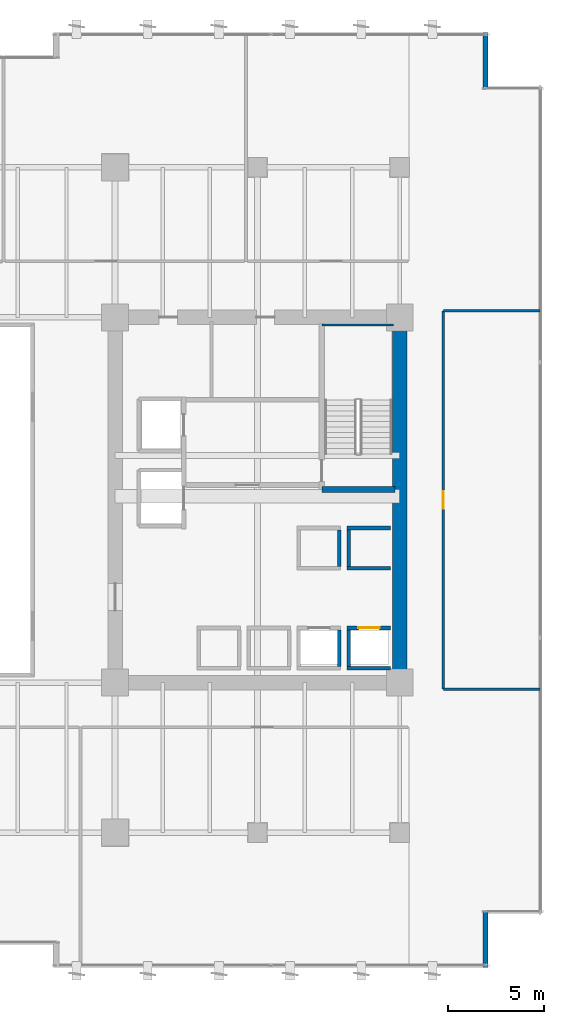
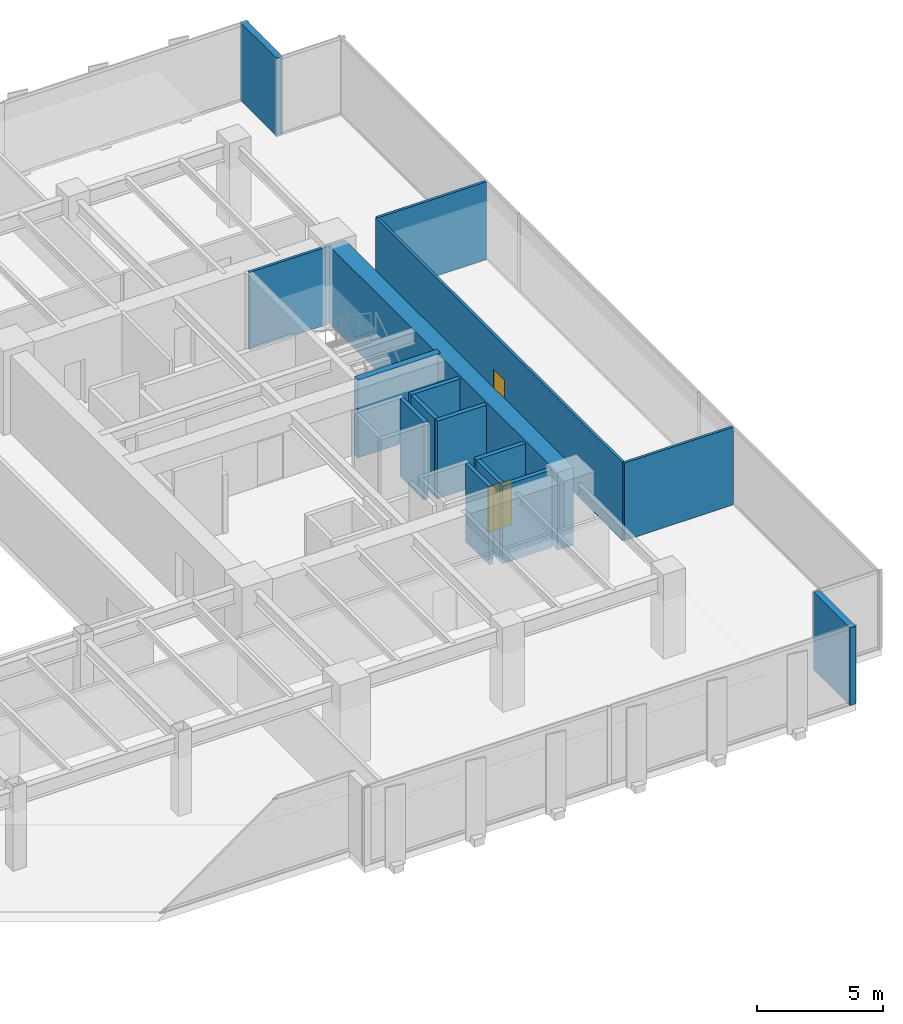
# One storey, part 32 of 37: 16 walls, 2 doors, 2 openings.
"""IFC4 building model written with IfcOpenShell, lengths in metres."""

import ifcopenshell
import ifcopenshell.guid

model = None  # the IFC model being written
_history = None  # IfcOwnerHistory: only IFC2X3 demands one
_inside = {}  # id of a spatial element -> (the spatial element, [elements in it])
_under = {}  # id of a project, library or spatial element -> (it, [spatial elements below it])
_declared = {}  # id of a project -> (the project, [libraries it declares])
_typed = {}  # id of a type object -> (the type object, [elements of that type])
_made_of = {}  # id of a material, layer set ... -> (it, [elements and type objects made of it])


def new_model(schema):
    """Start an empty IFC model of exactly this schema.

    Asked for "IFC4X3", IfcOpenShell would pick the latest addendum, in which some entities
    have other attributes; the version numbers below select the first issue.
    IFC2X3 requires an IfcOwnerHistory on every rooted entity: one is made here for all.
    """
    global model, _history
    if schema == "IFC4X3":
        model = ifcopenshell.file(schema_version=(4, 3, 0, 0))
    else:
        model = ifcopenshell.file(schema=schema)
    _inside.clear()
    _under.clear()
    _declared.clear()
    _typed.clear()
    _made_of.clear()
    _history = None
    if model.schema == "IFC2X3":
        org = make("IfcOrganization", Name="unknown")
        user = make(
            "IfcPersonAndOrganization",
            ThePerson=make("IfcPerson", FamilyName="unknown"),
            TheOrganization=org,
        )
        app = make(
            "IfcApplication",
            ApplicationDeveloper=org,
            Version="unknown",
            ApplicationFullName="unknown",
            ApplicationIdentifier="unknown",
        )
        _history = make(
            "IfcOwnerHistory",
            OwningUser=user,
            OwningApplication=app,
            ChangeAction="ADDED",
            CreationDate=0,
        )
    return model


def make(cls, **values):
    """One entity of the class cls with the attributes given. An attribute that is None is left unset."""
    return model.create_entity(
        cls, **{name: value for name, value in values.items() if value is not None}
    )


def rooted(cls, **values):
    """An entity with a GlobalId (a new one), such as an element, a storey or a relation."""
    return make(cls, GlobalId=ifcopenshell.guid.new(), OwnerHistory=_history, **values)


def si_unit(unit_type, name, prefix=None):
    """IfcSIUnit, for example si_unit("LENGTHUNIT", "METRE", prefix="MILLI")."""
    return make("IfcSIUnit", UnitType=unit_type, Prefix=prefix, Name=name)


def assignment(units):
    """IfcUnitAssignment: the units of a project."""
    return None if units is None else make("IfcUnitAssignment", Units=units)


def point(xyz):
    """IfcCartesianPoint."""
    return None if xyz is None else make("IfcCartesianPoint", Coordinates=xyz)


def direction(xyz):
    """IfcDirection."""
    return None if xyz is None else make("IfcDirection", DirectionRatios=xyz)


def frame(location, z_axis=None, x_axis=None):
    """IfcAxis2Placement3D, a coordinate frame: its origin and axes. An axis left out is left unset."""
    return make(
        "IfcAxis2Placement3D",
        Location=point(location),
        Axis=direction(z_axis),
        RefDirection=direction(x_axis),
    )


def frame_2d(location, x_axis=None):
    """IfcAxis2Placement2D, a coordinate frame in the plane: its origin and x axis."""
    return make(
        "IfcAxis2Placement2D", Location=point(location), RefDirection=direction(x_axis)
    )


def origin():
    """The frame at (0, 0, 0) with its axes left unset."""
    return frame((0.0, 0.0, 0.0))


def place(relative_to, where):
    """IfcLocalPlacement: puts the frame where relative to a parent placement (None: the world)."""
    return make(
        "IfcLocalPlacement", PlacementRelTo=relative_to, RelativePlacement=where
    )


def context(
    kind, dimensions, precision=None, world=None, true_north=None, identifier=None
):
    """IfcGeometricRepresentationContext, for example the 3D "Model" context."""
    return make(
        "IfcGeometricRepresentationContext",
        ContextIdentifier=identifier,
        ContextType=kind,
        CoordinateSpaceDimension=dimensions,
        Precision=precision,
        WorldCoordinateSystem=world,
        TrueNorth=true_north,
    )


def subcontext(parent, identifier, kind, view, scale=None):
    """IfcGeometricRepresentationSubContext, for example "Body" below "Model"."""
    return make(
        "IfcGeometricRepresentationSubContext",
        ContextIdentifier=identifier,
        ContextType=kind,
        ParentContext=parent,
        TargetScale=scale,
        TargetView=view,
    )


def project(units=None, contexts=None):
    """IfcProject with its units and contexts."""
    return rooted(
        "IfcProject",
        Name="project",
        RepresentationContexts=contexts,
        UnitsInContext=assignment(units),
    )


def spatial(cls, under=None, at=None, **own):
    """A site, building, storey or space (cls), placed at a placement, below another one or the project."""
    s = rooted(cls, ObjectPlacement=at, **own)
    if under is not None:
        _under.setdefault(under.id(), (under, []))[1].append(s)
    return s


def profile(cls, at=None, kind="AREA", **sizes):
    """A parametric profile (cls). Its sizes go by their IFC names, for example OverallWidth=200.0."""
    return make(cls, ProfileType=kind, Position=at, **sizes)


def rectangle(**sizes):
    """IfcRectangleProfileDef."""
    return profile("IfcRectangleProfileDef", **sizes)


def extrude(swept, where, along, depth):
    """IfcExtrudedAreaSolid: the profile swept, set in the frame where, extruded along a direction by depth."""
    return make(
        "IfcExtrudedAreaSolid",
        SweptArea=swept,
        Position=where,
        ExtrudedDirection=direction(along),
        Depth=depth,
    )


def shape(context_of_items, identifier, shape_type, items):
    """IfcShapeRepresentation: the items that make up one representation, for example the "Body"."""
    return make(
        "IfcShapeRepresentation",
        ContextOfItems=context_of_items,
        RepresentationIdentifier=identifier,
        RepresentationType=shape_type,
        Items=items,
    )


def source(mapping_origin, context_of_items, identifier, shape_type, items):
    """IfcRepresentationMap: a shape defined once, which mapped items show again and again."""
    return make(
        "IfcRepresentationMap",
        MappingOrigin=mapping_origin,
        MappedRepresentation=shape(context_of_items, identifier, shape_type, items),
    )


def transform(
    local_origin,
    x_axis=None,
    y_axis=None,
    z_axis=None,
    scale=None,
    scale2=None,
    scale3=None,
    uniform=True,
):
    """IfcCartesianTransformationOperator3D, or its non-uniform kind. x_axis, y_axis, z_axis: its Axis1, 2, 3."""
    if uniform:
        return make(
            "IfcCartesianTransformationOperator3D",
            Axis1=direction(x_axis),
            Axis2=direction(y_axis),
            LocalOrigin=point(local_origin),
            Scale=scale,
            Axis3=direction(z_axis),
        )
    return make(
        "IfcCartesianTransformationOperator3DnonUniform",
        Axis1=direction(x_axis),
        Axis2=direction(y_axis),
        LocalOrigin=point(local_origin),
        Scale=scale,
        Axis3=direction(z_axis),
        Scale2=scale2,
        Scale3=scale3,
    )


def mapped(mapping_source, mapping_target):
    """IfcMappedItem: shows the shape of a source again, moved by a transform."""
    return make(
        "IfcMappedItem", MappingSource=mapping_source, MappingTarget=mapping_target
    )


def material(Name=None, Category=None):
    """IfcMaterial."""
    return make("IfcMaterial", Name=Name, Category=Category)


def layer(
    of_material, thickness, ventilated=None, Name=None, Category=None, Priority=None
):
    """IfcMaterialLayer: one layer of a wall or slab, of a material (None: an air gap)."""
    return make(
        "IfcMaterialLayer",
        Material=of_material,
        LayerThickness=thickness,
        IsVentilated=ventilated,
        Name=Name,
        Category=Category,
        Priority=Priority,
    )


def layer_set(layers, Name=None):
    """IfcMaterialLayerSet."""
    return make("IfcMaterialLayerSet", MaterialLayers=layers, LayerSetName=Name)


def made_of(thing, what):
    """Note that an element or type object is made of a material, layer set ...; save() writes the relation."""
    if what is not None:
        _made_of.setdefault(what.id(), (what, []))[1].append(thing)
    return thing


def type_object(cls, material=None, **own):
    """A type object (cls), such as IfcWallType, which elements share."""
    return made_of(rooted(cls, **own), material)


def type_shapes(of_type, sources):
    """Give a type object the sources (RepresentationMaps) that its elements show as mapped items."""
    of_type.RepresentationMaps = sources


def element(
    cls,
    number,
    at=None,
    inside=None,
    cuts=None,
    type_object=None,
    material=None,
    context=None,
    identifier="Body",
    shape_type=None,
    held_by="IfcProductDefinitionShape",
    body=None,
    shapes=None,
    **own,
):
    """One element of the class cls, such as IfcWall. Its Tag is "e" and its number.

    at: its placement. inside: the storey or other place that contains it. cuts: it is an
    opening in that element (IfcRelVoidsElement). A single representation is given by context,
    identifier, shape_type and body (its items); several are given by shapes. held_by: the class
    of the entity that holds the representations. save() writes the other relations.
    """
    e = rooted(cls, Tag="e%d" % number, ObjectPlacement=at, **own)
    if body is not None:
        shapes = [shape(context, identifier, shape_type, body)]
    if shapes is not None:
        e.Representation = make(held_by, Representations=shapes)
    if inside is not None:
        _inside.setdefault(inside.id(), (inside, []))[1].append(e)
    if cuts is not None:
        rooted(
            "IfcRelVoidsElement", RelatingBuildingElement=cuts, RelatedOpeningElement=e
        )
    if type_object is not None:
        _typed.setdefault(type_object.id(), (type_object, []))[1].append(e)
    return made_of(e, material)


def fill(opening, filler):
    """IfcRelFillsElement: the door or window that sits in an opening."""
    return rooted(
        "IfcRelFillsElement",
        RelatingOpeningElement=opening,
        RelatedBuildingElement=filler,
    )


def aggregate(whole, parts):
    """IfcRelAggregates: a whole, such as a stair, and the parts it consists of."""
    return rooted("IfcRelAggregates", RelatingObject=whole, RelatedObjects=parts)


def save(model, path):
    """Write the relations noted so far, then the file.

    IfcRelAggregates (storeys below a building ...), IfcRelContainedInSpatialStructure (elements
    in a storey), IfcRelDefinesByType, IfcRelAssociatesMaterial and IfcRelDeclares: one each for
    every whole, place, type object, material and project.
    """
    for whole, parts in _under.values():
        aggregate(whole, parts)
    for where, things in _inside.values():
        rooted(
            "IfcRelContainedInSpatialStructure",
            RelatedElements=things,
            RelatingStructure=where,
        )
    for kind, things in _typed.values():
        rooted("IfcRelDefinesByType", RelatedObjects=things, RelatingType=kind)
    for what, things in _made_of.values():
        rooted("IfcRelAssociatesMaterial", RelatedObjects=things, RelatingMaterial=what)
    for by, libraries in _declared.values():
        rooted("IfcRelDeclares", RelatingContext=by, RelatedDefinitions=libraries)
    model.write(path)


model = new_model("IFC4")

# Units and contexts
model_context = context("Model", 3, precision=1e-05, world=origin(), true_north=direction((0.0, 1.0)))
body_context = subcontext(model_context, "Body", "Model", "MODEL_VIEW")
ifc_project = project(units=[si_unit("LENGTHUNIT", "METRE"), si_unit("AREAUNIT", "SQUARE_METRE"), si_unit("VOLUMEUNIT", "CUBIC_METRE"), si_unit("PLANEANGLEUNIT", "RADIAN"), si_unit("MASSUNIT", "GRAM", prefix="KILO")], contexts=[model_context])

# Site, building, storey
site_placement = place(None, origin())
site = spatial("IfcSite", under=ifc_project, at=site_placement, CompositionType="ELEMENT")
building_placement = place(site_placement, origin())
building = spatial("IfcBuilding", under=site, at=building_placement, Name="Haelvirn Gate Laboratories", CompositionType="ELEMENT")
storey_placement = place(building_placement, frame((0.0, 0.0, 74.39990234375)))
storey = spatial("IfcBuildingStorey", under=building, at=storey_placement, Name="L18", CompositionType="ELEMENT", Elevation=74.39990234375)

# Walls
ifc_material_1 = material(Name="Thermally-broken bronze aluminium rainscreen & mineral wool", Category="aluminium")
ifc_layer_1 = layer(ifc_material_1, 0.280029296875, Name="EW-TERR-280")
ifc_layer_set_1 = layer_set([ifc_layer_1], Name="Thermally-broken bronze aluminium rainscreen & mineral wool")
wall_type_1 = type_object("IfcWallType", Name="EW-TERR-280", PredefinedType="STANDARD", material=ifc_layer_set_1)
wall_1_placement = place(storey_placement, frame((71.860107421875, 0.0, 0.0), z_axis=(0.0, 0.0, 1.0), x_axis=(0.0, 1.0, 0.0)))
element("IfcWall", 1, at=wall_1_placement, inside=storey, type_object=wall_type_1, Name="L18 Atrium Recess Bronze Return Wall 05", PredefinedType="STANDARD", context=body_context, shape_type="SweptSolid", body=[
    extrude(rectangle(XDim=2.887939453125, YDim=0.280029296875, at=frame_2d((1.44384765625, 0.0))), origin(), (0.0, 0.0, 1.0), 3.780029296875),
])
wall_2_placement = place(storey_placement, frame((71.860107421875, 45.7119140625, 0.0), z_axis=(0.0, 0.0, 1.0), x_axis=(0.0, 1.0, 0.0)))
element("IfcWall", 2, at=wall_2_placement, inside=storey, type_object=wall_type_1, Name="L18 Atrium Recess Bronze Return Wall 09", PredefinedType="STANDARD", context=body_context, shape_type="SweptSolid", body=[
    extrude(rectangle(XDim=2.88818359375, YDim=0.280029296875, at=frame_2d((1.444091796875, 0.0))), origin(), (0.0, 0.0, 1.0), 3.780029296875),
])
ifc_material_2 = material(Name="Lightweight acoustic gypsum board partition", Category="gypsum")
ifc_layer_2 = layer(ifc_material_2, 0.1201171875, Name="IW-PART-120")
ifc_layer_set_2 = layer_set([ifc_layer_2], Name="Lightweight acoustic gypsum board partition")
wall_type_2 = type_object("IfcWallType", Name="IW-PART-120", PredefinedType="PARTITIONING", material=ifc_layer_set_2)
for number, where, z_axis, x_axis, name in (
    (3, (69.669921875, 14.465087890625, 0.0), (0.0, 0.0, 1.0), (1.0, 0.0, 0.0), "L18 Interior Wall IW-L18-ECAP-S"),
    (4, (69.669921875, 34.135009765625, 0.0), (0.0, 0.0, 1.0), (1.0, 0.0, 0.0), "L18 Interior Wall IW-L18-ECAP-N"),
):
    element("IfcWall", number, at=place(storey_placement, frame(where, z_axis=z_axis, x_axis=x_axis)), inside=storey, type_object=wall_type_2, Name=name, PredefinedType="PARTITIONING", context=body_context, shape_type="SweptSolid", body=[
        extrude(rectangle(XDim=5.02001953125, YDim=0.1201171875, at=frame_2d((2.510009765625, 0.0))), origin(), (0.0, 0.0, 1.0), 3.780029296875),
    ])

# Wall, opening, door
wall_3_placement = place(storey_placement, frame((69.669921875, 14.465087890625, 0.0), z_axis=(0.0, 0.0, 1.0), x_axis=(0.0, 1.0, 0.0)))
wall_3 = element("IfcWall", 5, at=wall_3_placement, inside=storey, type_object=wall_type_2, Name="L18 Interior Wall IW-L18-EPASS-01", PredefinedType="PARTITIONING", context=body_context, shape_type="SweptSolid", body=[
    extrude(rectangle(XDim=19.669921875, YDim=0.1201171875, at=frame_2d((9.8349609375, 0.0))), origin(), (0.0, 0.0, 1.0), 3.780029296875),
])
opening_1_placement = place(wall_3_placement, frame((9.385009765625, 0.0, 0.0)))
opening_1 = element("IfcOpeningElement", 6, at=opening_1_placement, cuts=wall_3, Name="Opening D4", PredefinedType="OPENING", context=body_context, shape_type="SweptSolid", body=[
    extrude(rectangle(XDim=0.89990234375, YDim=2.10009765625, at=frame_2d((0.449951171875, 1.050048828125))), frame((0.0, 0.070068359375, 0.0), z_axis=(0.0, -1.0, 0.0), x_axis=(1.0, 0.0, 0.0)), (0.0, 0.0, 1.0), 0.14013671875),
])
ifc_material_3 = material(Name="Glazed aluminium-framed write-up door", Category="aluminium")
door_type_1 = type_object("IfcDoorType", Name="DR-OFF-900", OperationType="NOTDEFINED", PredefinedType="DOOR", material=ifc_material_3)
shared_shape_1 = source(origin(), body_context, "Body", "SweptSolid", [
    extrude(rectangle(XDim=0.89990234375, YDim=2.10009765625, at=frame_2d((0.449951171875, 1.050048828125))), frame((0.0, 0.02490234375, 0.0), z_axis=(0.0, -1.0, 0.0), x_axis=(1.0, 0.0, 0.0)), (0.0, 0.0, 1.0), 0.050048828125),
])
type_shapes(door_type_1, [shared_shape_1])
door_1_placement = place(opening_1_placement, origin())
door_1 = element("IfcDoor", 7, at=door_1_placement, inside=storey, type_object=door_type_1, Name="L18 Genomics Assay Laboratory Door E1", OperationType="SINGLE_SWING_LEFT", OverallHeight=2.10009765625, OverallWidth=0.89990234375, PredefinedType="DOOR", context=body_context, shape_type="MappedRepresentation", body=[
    mapped(shared_shape_1, transform((0.0, 0.0, 0.0), scale=1.0)),
])
fill(opening_1, door_1)

# Walls
ifc_material_4 = material(Name="Concrete C40/50", Category="concrete")
ifc_layer_3 = layer(ifc_material_4, 0.179931640625, Name="IW-SHAFT-180")
ifc_layer_set_3 = layer_set([ifc_layer_3], Name="Concrete C40/50")
wall_type_3 = type_object("IfcWallType", Name="IW-SHAFT-180", PredefinedType="SOLIDWALL", material=ifc_layer_set_3)
for number, where, z_axis, x_axis, name in (
    (8, (64.75, 15.64990234375, 0.0), (0.0, 0.0, 1.0), (0.0, 1.0, 0.0), "L18 Interior Wall IW-L18-PL3-SD"),
    (9, (64.25, 15.64990234375, 0.0), (0.0, 0.0, 1.0), (0.0, 1.0, 0.0), "L18 Interior Wall IW-L18-PL4-SDE"),
):
    element("IfcWall", number, at=place(storey_placement, frame(where, z_axis=z_axis, x_axis=x_axis)), inside=storey, type_object=wall_type_3, Name=name, PredefinedType="SOLIDWALL", context=body_context, shape_type="SweptSolid", body=[
        extrude(rectangle(XDim=1.900146484375, YDim=0.179931640625, at=frame_2d((0.9501953125, 0.0))), origin(), (0.0, 0.0, 1.0), 3.780029296875),
    ])
for number, where, z_axis, x_axis, name in (
    (10, (64.75, 20.85009765625, 0.0), (0.0, 0.0, 1.0), (0.0, 1.0, 0.0), "L18 Interior Wall IW-L18-PL11-SD"),
    (11, (64.25, 20.85009765625, 0.0), (0.0, 0.0, 1.0), (0.0, 1.0, 0.0), "L18 Interior Wall IW-L18-PL12-SDE"),
):
    element("IfcWall", number, at=place(storey_placement, frame(where, z_axis=z_axis, x_axis=x_axis)), inside=storey, type_object=wall_type_3, Name=name, PredefinedType="SOLIDWALL", context=body_context, shape_type="SweptSolid", body=[
        extrude(rectangle(XDim=1.89990234375, YDim=0.179931640625, at=frame_2d((0.949951171875, 0.0))), origin(), (0.0, 0.0, 1.0), 3.780029296875),
    ])

# Wall, opening, door
ifc_layer_4 = layer(ifc_material_4, 0.199951171875, Name="IW-SHAFT-200")
ifc_layer_set_4 = layer_set([ifc_layer_4], Name="Concrete C40/50")
wall_type_4 = type_object("IfcWallType", Name="IW-SHAFT-200", PredefinedType="SOLIDWALL", material=ifc_layer_set_4)
wall_4_placement = place(storey_placement, frame((64.669921875, 17.64990234375, 0.0), z_axis=(0.0, 0.0, 1.0), x_axis=(1.0, 0.0, 0.0)))
wall_4 = element("IfcWall", 12, at=wall_4_placement, inside=storey, type_object=wall_type_4, Name="L18 Interior Wall IW-L18-PL3-FR", PredefinedType="SOLIDWALL", context=body_context, shape_type="SweptSolid", body=[
    extrude(rectangle(XDim=2.260009765625, YDim=0.199951171875, at=frame_2d((1.1298828125, 0.0))), origin(), (0.0, 0.0, 1.0), 3.780029296875),
])
opening_2_placement = place(wall_4_placement, frame((0.580078125, 0.0, 0.0)))
opening_2 = element("IfcOpeningElement", 13, at=opening_2_placement, cuts=wall_4, Name="Opening LD2", PredefinedType="OPENING", context=body_context, shape_type="SweptSolid", body=[
    extrude(rectangle(XDim=1.10009765625, YDim=2.219970703125, at=frame_2d((0.550048828125, 1.10986328125))), frame((0.0, 0.10986328125, 0.0), z_axis=(0.0, -1.0, 0.0), x_axis=(1.0, 0.0, 0.0)), (0.0, 0.0, 1.0), 0.219970703125),
])
ifc_material_5 = material(Name="Bronze stainless 316L sliding lift landing door")
door_type_2 = type_object("IfcDoorType", Name="DR-LD-1100", OperationType="NOTDEFINED", PredefinedType="USERDEFINED", material=ifc_material_5)
shared_shape_2 = source(origin(), body_context, "Body", "SweptSolid", [
    extrude(rectangle(XDim=1.10009765625, YDim=2.219970703125, at=frame_2d((0.550048828125, 1.10986328125))), frame((0.0, 0.02490234375, 0.0), z_axis=(0.0, -1.0, 0.0), x_axis=(1.0, 0.0, 0.0)), (0.0, 0.0, 1.0), 0.050048828125),
])
type_shapes(door_type_2, [shared_shape_2])
door_2_placement = place(opening_2_placement, origin())
door_2 = element("IfcDoor", 14, at=door_2_placement, inside=storey, type_object=door_type_2, Name="L18 Passenger Lift PL3 Landing Door", ObjectType="LANDING_DOOR", OperationType="SLIDING_TO_LEFT", OverallHeight=2.219970703125, OverallWidth=1.10009765625, PredefinedType="USERDEFINED", context=body_context, shape_type="MappedRepresentation", body=[
    mapped(shared_shape_2, transform((0.0, 0.0, 0.0), scale=1.0)),
])
fill(opening_2, door_2)

# Walls
for number, where, z_axis, x_axis, name in (
    (15, (64.669921875, 15.550048828125, 0.0), (0.0, 0.0, 1.0), (1.0, 0.0, 0.0), "L18 Interior Wall IW-L18-PL3-BK"),
    (16, (64.669921875, 20.75, 0.0), (0.0, 0.0, 1.0), (1.0, 0.0, 0.0), "L18 Interior Wall IW-L18-PL11-FR"),
    (17, (64.669921875, 22.85009765625, 0.0), (0.0, 0.0, 1.0), (1.0, 0.0, 0.0), "L18 Interior Wall IW-L18-PL11-BK"),
):
    element("IfcWall", number, at=place(storey_placement, frame(where, z_axis=z_axis, x_axis=x_axis)), inside=storey, type_object=wall_type_4, Name=name, PredefinedType="SOLIDWALL", context=body_context, shape_type="SweptSolid", body=[
        extrude(rectangle(XDim=2.260009765625, YDim=0.199951171875, at=frame_2d((1.1298828125, 0.0))), origin(), (0.0, 0.0, 1.0), 3.780029296875),
    ])
ifc_material_6 = material(Name="Concrete C70/85", Category="concrete")
ifc_layer_5 = layer(ifc_material_6, 0.75, Name="SW-CORE-750")
ifc_layer_set_5 = layer_set([ifc_layer_5], Name="Concrete C70/85")
wall_type_5 = type_object("IfcWallType", Name="SW-CORE-750", PredefinedType="SHEAR", material=ifc_layer_set_5)
wall_5_placement = place(storey_placement, frame((67.39990234375, 15.175048828125, 0.0), z_axis=(0.0, 0.0, 1.0), x_axis=(0.0, 1.0, 0.0)))
element("IfcWall", 18, at=wall_5_placement, inside=storey, type_object=wall_type_5, Name="L18 E Core Shear Wall E", PredefinedType="SHEAR", context=body_context, shape_type="SweptSolid", body=[
    extrude(rectangle(XDim=18.25, YDim=0.75, at=frame_2d((9.125, 0.0))), origin(), (0.0, 0.0, 1.0), 3.780029296875),
])
ifc_material_7 = material(Name="Concrete C50/60", Category="concrete")
ifc_layer_6 = layer(ifc_material_7, 0.1201171875, Name="SW-LINER-120")
ifc_layer_set_6 = layer_set([ifc_layer_6], Name="Concrete C50/60")
wall_type_6 = type_object("IfcWallType", Name="SW-LINER-120", PredefinedType="SOLIDWALL", material=ifc_layer_set_6)
wall_6_placement = place(storey_placement, frame((63.35009765625, 33.39990234375, 0.0), z_axis=(0.0, 0.0, 1.0), x_axis=(1.0, 0.0, 0.0)))
element("IfcWall", 19, at=wall_6_placement, inside=storey, type_object=wall_type_6, Name="L18 E Core Stair Shaft Liner Wall N", PredefinedType="SOLIDWALL", context=body_context, shape_type="SweptSolid", body=[
    extrude(rectangle(XDim=3.719970703125, YDim=0.1201171875, at=frame_2d((1.85986328125, 0.0))), origin(), (0.0, 0.0, 1.0), 3.780029296875),
])
ifc_layer_7 = layer(ifc_material_7, 0.300048828125, Name="SW-STAIR-300")
ifc_layer_set_7 = layer_set([ifc_layer_7], Name="Concrete C50/60")
wall_type_7 = type_object("IfcWallType", Name="SW-STAIR-300", PredefinedType="SHEAR", material=ifc_layer_set_7)
wall_7_placement = place(storey_placement, frame((63.35009765625, 24.85009765625, 0.0), z_axis=(0.0, 0.0, 1.0), x_axis=(1.0, 0.0, 0.0)))
element("IfcWall", 20, at=wall_7_placement, inside=storey, type_object=wall_type_7, Name="L18 E Core Stair Shaft Structural Wall S", PredefinedType="SHEAR", context=body_context, shape_type="SweptSolid", body=[
    extrude(rectangle(XDim=3.7998046875, YDim=0.300048828125, at=frame_2d((1.89990234375, 0.0))), origin(), (0.0, 0.0, 1.0), 3.780029296875),
])

save(model, "model.ifc")
